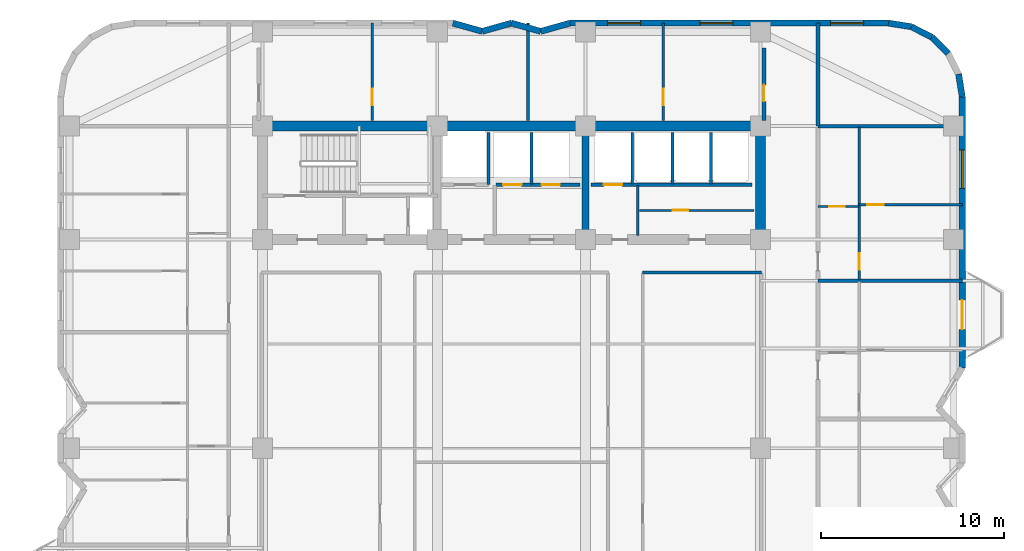
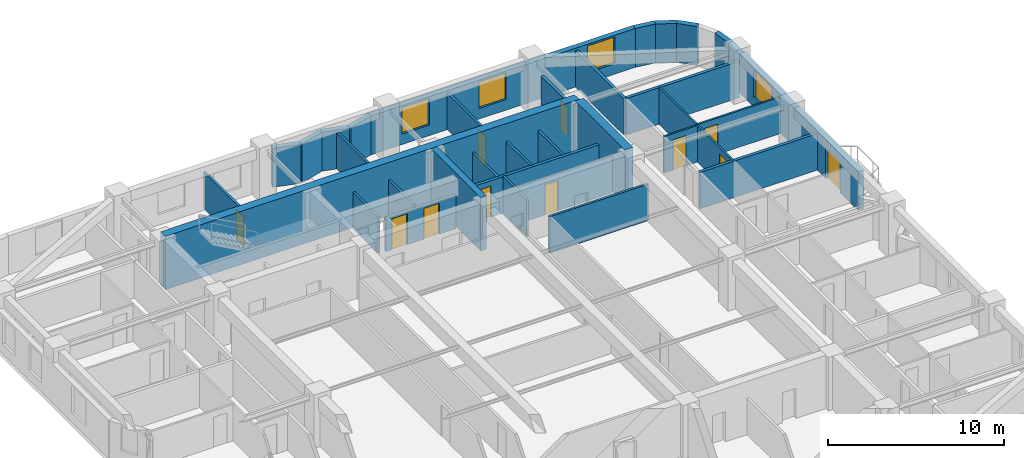
# One storey, part 7 of 10: 33 walls, 11 doors, 4 windows, 15 openings.
"""IFC4 building model written with IfcOpenShell, lengths in metres."""

from ifc_helpers import new_model, si_unit, direction, frame, frame_2d, origin, place, context, subcontext, project, spatial, rectangle, extrude, material, layer, layer_set, type_object, element, fill, save


model = new_model("IFC4")

# Units and contexts
model_context = context("Model", 3, precision=1e-05, world=origin(), true_north=direction((0.0, 1.0)))
body_context = subcontext(model_context, "Body", "Model", "MODEL_VIEW")
ifc_project = project(units=[si_unit("LENGTHUNIT", "METRE"), si_unit("AREAUNIT", "SQUARE_METRE"), si_unit("VOLUMEUNIT", "CUBIC_METRE"), si_unit("PLANEANGLEUNIT", "RADIAN"), si_unit("MASSUNIT", "GRAM", prefix="KILO")], contexts=[model_context])

# Site, building, storey
site_placement = place(None, origin())
site = spatial("IfcSite", under=ifc_project, at=site_placement, CompositionType="ELEMENT")
building_placement = place(site_placement, origin())
building = spatial("IfcBuilding", under=site, at=building_placement, Name="Svetorya Sky Lyceum", CompositionType="ELEMENT")
storey_placement = place(building_placement, frame((0.0, 0.0, 110.5)))
storey = spatial("IfcBuildingStorey", under=building, at=storey_placement, Name="L27", CompositionType="ELEMENT", Elevation=110.5)

# Walls
ifc_material_1 = material(Name="Concrete C40/50", Category="concrete")
ifc_layer_1 = layer(ifc_material_1, 0.39990234375)
ifc_layer_set_1 = layer_set([ifc_layer_1], Name="Concrete C40/50")
wall_type_1 = type_object("IfcWallType", Name="WL-CORE-400", PredefinedType="SHEAR", material=ifc_layer_set_1)
wall_1_placement = place(storey_placement, frame((43.25, 39.875, 0.0), z_axis=(0.0, 0.0, 1.0), x_axis=(0.0, 1.0, 0.0)))
element("IfcWall", 1, at=wall_1_placement, inside=storey, type_object=wall_type_1, Name="L27 NC Internal Shear Web WEB2", PredefinedType="SHEAR", context=body_context, shape_type="SweptSolid", body=[
    extrude(rectangle(XDim=5.64990234375, YDim=0.39990234375, at=frame_2d((2.824951171875, 0.0))), origin(), (0.0, 0.0, 1.0), 3.699951171875),
])
ifc_material_2 = material(Name="Concrete C60/75", Category="concrete")
ifc_layer_2 = layer(ifc_material_2, 0.550048828125)
ifc_layer_set_2 = layer_set([ifc_layer_2], Name="Concrete C60/75")
wall_type_2 = type_object("IfcWallType", Name="WL-CORE-550", PredefinedType="SHEAR", material=ifc_layer_set_2)
wall_2_placement = place(storey_placement, frame((25.60009765625, 45.800048828125, 0.0), z_axis=(0.0, 0.0, 1.0), x_axis=(1.0, 0.0, 0.0)))
element("IfcWall", 2, at=wall_2_placement, inside=storey, type_object=wall_type_2, Name="L27 NC Outer Core Shear Wall", PredefinedType="SHEAR", context=body_context, shape_type="SweptSolid", body=[
    extrude(rectangle(XDim=27.199951171875, YDim=0.550048828125, at=frame_2d((13.60009765625, 0.0))), origin(), (0.0, 0.0, 1.0), 3.699951171875),
])
wall_3_placement = place(storey_placement, frame((52.800048828125, 39.875, 0.0), z_axis=(0.0, 0.0, 1.0), x_axis=(0.0, 1.0, 0.0)))
element("IfcWall", 3, at=wall_3_placement, inside=storey, type_object=wall_type_2, Name="L27 NC East Core Shear Wall", PredefinedType="SHEAR", context=body_context, shape_type="SweptSolid", body=[
    extrude(rectangle(XDim=5.64990234375, YDim=0.550048828125, at=frame_2d((2.824951171875, 0.0))), origin(), (0.0, 0.0, 1.0), 3.699951171875),
])

# Wall, openings, door, window
ifc_material_3 = material(Name="Putilovo limestone rainscreen on autoclaved cellular masonry", Category="masonry")
ifc_layer_3 = layer(ifc_material_3, 0.340087890625)
ifc_layer_set_3 = layer_set([ifc_layer_3], Name="Putilovo limestone rainscreen on autoclaved cellular masonry")
wall_type_3 = type_object("IfcWallType", Name="WL-EXT-340", PredefinedType="SOLIDWALL", material=ifc_layer_set_3)
wall_4_placement = place(storey_placement, frame((63.830078125, 32.60009765625, 0.0), z_axis=(0.0, 0.0, 1.0), x_axis=(0.0, 1.0, 0.0)))
wall_4 = element("IfcWall", 4, at=wall_4_placement, inside=storey, type_object=wall_type_3, Name="L27 Limestone Exterior Wall 23M", PredefinedType="SOLIDWALL", context=body_context, shape_type="SweptSolid", body=[
    extrude(rectangle(XDim=14.7998046875, YDim=0.340087890625, at=frame_2d((7.39990234375, 0.0))), origin(), (0.0, 0.0, 1.0), 2.699951171875),
])
opening_1_placement = place(wall_4_placement, frame((2.10009765625, 0.0, 0.0)))
opening_1 = element("IfcOpeningElement", 5, at=opening_1_placement, cuts=wall_4, Name="Opening D-BL1", PredefinedType="OPENING", context=body_context, shape_type="SweptSolid", body=[
    extrude(rectangle(XDim=1.60009765625, YDim=2.10009765625, at=frame_2d((0.800048828125, 1.050048828125))), frame((0.0, 0.179931640625, 0.0), z_axis=(0.0, -1.0, 0.0), x_axis=(1.0, 0.0, 0.0)), (0.0, 0.0, 1.0), 0.360107421875),
])
opening_2_placement = place(wall_4_placement, frame((9.800048828125, 0.0, 0.679931640625)))
opening_2 = element("IfcOpeningElement", 6, at=opening_2_placement, cuts=wall_4, Name="Opening W-R0", PredefinedType="OPENING", context=body_context, shape_type="SweptSolid", body=[
    extrude(rectangle(XDim=2.10009765625, YDim=1.89990234375, at=frame_2d((1.050048828125, 0.949951171875))), frame((0.0, 0.179931640625, 0.0), z_axis=(0.0, -1.0, 0.0), x_axis=(1.0, 0.0, 0.0)), (0.0, 0.0, 1.0), 0.360107421875),
])
ifc_material_4 = material(Name="Insulated glazed aluminium balcony door", Category="aluminium")
door_type_1 = type_object("IfcDoorType", Name="DR-BAL-1600", OperationType="DOUBLE_DOOR_SINGLE_SWING", PredefinedType="DOOR", material=ifc_material_4)
door_1_placement = place(opening_1_placement, origin())
door_1 = element("IfcDoor", 7, at=door_1_placement, inside=storey, type_object=door_type_1, Name="L27 Balcony BAL-E1 Door", OperationType="DOUBLE_DOOR_SINGLE_SWING", OverallHeight=2.10009765625, OverallWidth=1.60009765625, PredefinedType="DOOR", context=body_context, shape_type="SweptSolid", body=[
    extrude(rectangle(XDim=1.60009765625, YDim=2.10009765625, at=frame_2d((0.800048828125, 1.050048828125))), frame((0.0, 0.02490234375, 0.0), z_axis=(0.0, -1.0, 0.0), x_axis=(1.0, 0.0, 0.0)), (0.0, 0.0, 1.0), 0.050048828125),
])
fill(opening_1, door_1)
ifc_material_5 = material(Name="Thermally broken aluminium frame with triple low-E glazing", Category="aluminium")
window_type_1 = type_object("IfcWindowType", Name="WN-RES-210", PartitioningType="TRIPLE_PANEL_VERTICAL", PredefinedType="WINDOW", material=ifc_material_5)
window_1_placement = place(opening_2_placement, origin())
window_1 = element("IfcWindow", 8, at=window_1_placement, inside=storey, type_object=window_type_1, Name="L27 Facade Window W-R0.23M.1", OverallHeight=1.89990234375, OverallWidth=2.10009765625, PartitioningType="SINGLE_PANEL", PredefinedType="WINDOW", context=body_context, shape_type="SweptSolid", body=[
    extrude(rectangle(XDim=2.10009765625, YDim=1.89990234375, at=frame_2d((1.050048828125, 0.949951171875))), frame((0.0, 0.030029296875, 0.0), z_axis=(0.0, -1.0, 0.0), x_axis=(1.0, 0.0, 0.0)), (0.0, 0.0, 1.0), 0.06005859375),
])
fill(opening_2, window_1)

# Walls
for number, where, z_axis, x_axis, name in (
    (9, (63.830078125, 47.39990234375, 0.0), (0.0, 0.0, 1.0), (-0.15644975923, 0.987685918112, 0.0), "L27 Limestone Exterior Wall 24M"),
    (10, (63.060302734375, 49.768798828125, 0.0), (0.0, 0.0, 1.0), (-0.707106781187, 0.707106781187, 0.0), "L27 Limestone Exterior Wall 26M"),
):
    element("IfcWall", number, at=place(storey_placement, frame(where, z_axis=z_axis, x_axis=x_axis)), inside=storey, type_object=wall_type_3, Name=name, PredefinedType="SOLIDWALL", context=body_context, shape_type="SweptSolid", body=[
        extrude(rectangle(XDim=1.260986328125, YDim=0.340087890625, at=frame_2d((0.63037109375, 0.0))), origin(), (0.0, 0.0, 1.0), 2.699951171875),
    ])
for number, where, z_axis, x_axis, name in (
    (11, (62.168701171875, 50.660400390625, 0.0), (0.0, 0.0, 1.0), (-0.890953769915, 0.454094020963, 0.0), "L27 Limestone Exterior Wall 27M"),
    (12, (61.04541015625, 51.23291015625, 0.0), (0.0, 0.0, 1.0), (-0.98771582066, 0.156260864002, 0.0), "L27 Limestone Exterior Wall 28M"),
):
    element("IfcWall", number, at=place(storey_placement, frame(where, z_axis=z_axis, x_axis=x_axis)), inside=storey, type_object=wall_type_3, Name=name, PredefinedType="SOLIDWALL", context=body_context, shape_type="SweptSolid", body=[
        extrude(rectangle(XDim=1.2607421875, YDim=0.340087890625, at=frame_2d((0.63037109375, 0.0))), origin(), (0.0, 0.0, 1.0), 2.699951171875),
    ])

# Wall, openings, windows
wall_5_placement = place(storey_placement, frame((59.800048828125, 51.429931640625, 0.0), z_axis=(0.0, 0.0, 1.0), x_axis=(-1.0, 0.0, 0.0)))
wall_5 = element("IfcWall", 13, at=wall_5_placement, inside=storey, type_object=wall_type_3, Name="L27 Limestone Exterior Wall 29M", PredefinedType="SOLIDWALL", context=body_context, shape_type="SweptSolid", body=[
    extrude(rectangle(XDim=17.400146484375, YDim=0.340087890625, at=frame_2d((8.7001953125, 0.0))), origin(), (0.0, 0.0, 1.0), 2.699951171875),
])
opening_3_placement = place(wall_5_placement, frame((1.360107421875, 0.0, 0.72998046875)))
opening_3 = element("IfcOpeningElement", 14, at=opening_3_placement, cuts=wall_5, Name="Opening W-R1", PredefinedType="OPENING", context=body_context, shape_type="SweptSolid", body=[
    extrude(rectangle(XDim=1.800048828125, YDim=1.85009765625, at=frame_2d((0.89990234375, 0.925048828125))), frame((0.0, 0.179931640625, 0.0), z_axis=(0.0, -1.0, 0.0), x_axis=(1.0, 0.0, 0.0)), (0.0, 0.0, 1.0), 0.360107421875),
])
opening_4_placement = place(wall_5_placement, frame((8.5, 0.0, 0.72998046875)))
opening_4 = element("IfcOpeningElement", 15, at=opening_4_placement, cuts=wall_5, Name="Opening W-R1", PredefinedType="OPENING", context=body_context, shape_type="SweptSolid", body=[
    extrude(rectangle(XDim=1.800048828125, YDim=1.85009765625, at=frame_2d((0.89990234375, 0.925048828125))), frame((0.0, 0.179931640625, 0.0), z_axis=(0.0, -1.0, 0.0), x_axis=(1.0, 0.0, 0.0)), (0.0, 0.0, 1.0), 0.360107421875),
])
opening_5_placement = place(wall_5_placement, frame((13.5400390625, 0.0, 0.72998046875)))
opening_5 = element("IfcOpeningElement", 16, at=opening_5_placement, cuts=wall_5, Name="Opening W-R1", PredefinedType="OPENING", context=body_context, shape_type="SweptSolid", body=[
    extrude(rectangle(XDim=1.800048828125, YDim=1.85009765625, at=frame_2d((0.89990234375, 0.925048828125))), frame((0.0, 0.179931640625, 0.0), z_axis=(0.0, -1.0, 0.0), x_axis=(1.0, 0.0, 0.0)), (0.0, 0.0, 1.0), 0.360107421875),
])
window_type_2 = type_object("IfcWindowType", Name="WN-RES-180", PartitioningType="DOUBLE_PANEL_VERTICAL", PredefinedType="WINDOW", material=ifc_material_5)
window_2_placement = place(opening_3_placement, origin())
window_2 = element("IfcWindow", 17, at=window_2_placement, inside=storey, type_object=window_type_2, Name="L27 Facade Window W-R1.29M.1", OverallHeight=1.85009765625, OverallWidth=1.800048828125, PartitioningType="SINGLE_PANEL", PredefinedType="WINDOW", context=body_context, shape_type="SweptSolid", body=[
    extrude(rectangle(XDim=1.800048828125, YDim=1.85009765625, at=frame_2d((0.89990234375, 0.925048828125))), frame((0.0, 0.030029296875, 0.0), z_axis=(0.0, -1.0, 0.0), x_axis=(1.0, 0.0, 0.0)), (0.0, 0.0, 1.0), 0.06005859375),
])
fill(opening_3, window_2)
window_3_placement = place(opening_4_placement, origin())
window_3 = element("IfcWindow", 18, at=window_3_placement, inside=storey, type_object=window_type_2, Name="L27 Facade Window W-R1.29M.2", OverallHeight=1.85009765625, OverallWidth=1.800048828125, PartitioningType="SINGLE_PANEL", PredefinedType="WINDOW", context=body_context, shape_type="SweptSolid", body=[
    extrude(rectangle(XDim=1.800048828125, YDim=1.85009765625, at=frame_2d((0.89990234375, 0.925048828125))), frame((0.0, 0.030029296875, 0.0), z_axis=(0.0, -1.0, 0.0), x_axis=(1.0, 0.0, 0.0)), (0.0, 0.0, 1.0), 0.06005859375),
])
fill(opening_4, window_3)
window_4_placement = place(opening_5_placement, origin())
window_4 = element("IfcWindow", 19, at=window_4_placement, inside=storey, type_object=window_type_2, Name="L27 Facade Window W-R1.29M.3", OverallHeight=1.85009765625, OverallWidth=1.800048828125, PartitioningType="SINGLE_PANEL", PredefinedType="WINDOW", context=body_context, shape_type="SweptSolid", body=[
    extrude(rectangle(XDim=1.800048828125, YDim=1.85009765625, at=frame_2d((0.89990234375, 0.925048828125))), frame((0.0, 0.030029296875, 0.0), z_axis=(0.0, -1.0, 0.0), x_axis=(1.0, 0.0, 0.0)), (0.0, 0.0, 1.0), 0.06005859375),
])
fill(opening_5, window_4)

# Walls
wall_6_placement = place(storey_placement, frame((42.39990234375, 51.429931640625, 0.0), z_axis=(0.0, 0.0, 1.0), x_axis=(-0.962652136636, -0.270741322725, 0.0)))
element("IfcWall", 20, at=wall_6_placement, inside=storey, type_object=wall_type_3, Name="L27 Limestone Exterior Wall 30M", PredefinedType="SOLIDWALL", context=body_context, shape_type="SweptSolid", body=[
    extrude(rectangle(XDim=1.661865234375, YDim=0.340087890625, at=frame_2d((0.8310546875, 0.0))), origin(), (0.0, 0.0, 1.0), 2.699951171875),
])
wall_7_placement = place(storey_placement, frame((40.800048828125, 50.97998046875, 0.0), z_axis=(0.0, 0.0, 1.0), x_axis=(-0.962662902433, 0.270703040766, 0.0)))
element("IfcWall", 21, at=wall_7_placement, inside=storey, type_object=wall_type_3, Name="L27 Limestone Exterior Wall 31M", PredefinedType="SOLIDWALL", context=body_context, shape_type="SweptSolid", body=[
    extrude(rectangle(XDim=1.662109375, YDim=0.340087890625, at=frame_2d((0.8310546875, 0.0))), origin(), (0.0, 0.0, 1.0), 2.699951171875),
])
wall_8_placement = place(storey_placement, frame((39.199951171875, 51.429931640625, 0.0), z_axis=(0.0, 0.0, 1.0), x_axis=(-0.962652136636, -0.270741322725, 0.0)))
element("IfcWall", 22, at=wall_8_placement, inside=storey, type_object=wall_type_3, Name="L27 Limestone Exterior Wall 32M", PredefinedType="SOLIDWALL", context=body_context, shape_type="SweptSolid", body=[
    extrude(rectangle(XDim=1.661865234375, YDim=0.340087890625, at=frame_2d((0.8310546875, 0.0))), origin(), (0.0, 0.0, 1.0), 2.699951171875),
])
wall_9_placement = place(storey_placement, frame((37.60009765625, 50.97998046875, 0.0), z_axis=(0.0, 0.0, 1.0), x_axis=(-0.962662902433, 0.270703040766, 0.0)))
element("IfcWall", 23, at=wall_9_placement, inside=storey, type_object=wall_type_3, Name="L27 Limestone Exterior Wall 33M", PredefinedType="SOLIDWALL", context=body_context, shape_type="SweptSolid", body=[
    extrude(rectangle(XDim=1.662109375, YDim=0.340087890625, at=frame_2d((0.8310546875, 0.0))), origin(), (0.0, 0.0, 1.0), 2.699951171875),
])

# Wall, opening, door
ifc_material_6 = material(Name="Twin-stud galvanized framing with double fireboard", Category="gypsum")
ifc_layer_4 = layer(ifc_material_6, 0.1201171875)
ifc_layer_set_4 = layer_set([ifc_layer_4], Name="Twin-stud galvanized framing with double fireboard")
wall_type_4 = type_object("IfcWallType", Name="WL-PART-120", PredefinedType="PARTITIONING", material=ifc_layer_set_4)
wall_10_placement = place(storey_placement, frame((46.199951171875, 41.199951171875, 0.0), z_axis=(0.0, 0.0, 1.0), x_axis=(1.0, 0.0, 0.0)))
wall_10 = element("IfcWall", 24, at=wall_10_placement, inside=storey, type_object=wall_type_4, Name="L27 Interior Partition NC-Z2EH", PredefinedType="PARTITIONING", context=body_context, shape_type="SweptSolid", body=[
    extrude(rectangle(XDim=6.25, YDim=0.1201171875, at=frame_2d((3.125, 0.0))), origin(), (0.0, 0.0, 1.0), 2.530029296875),
])
opening_6_placement = place(wall_10_placement, frame((1.800048828125, 0.0, 0.0)))
opening_6 = element("IfcOpeningElement", 25, at=opening_6_placement, cuts=wall_10, Name="Opening D-CWC1", PredefinedType="OPENING", context=body_context, shape_type="SweptSolid", body=[
    extrude(rectangle(XDim=0.85009765625, YDim=2.10009765625, at=frame_2d((0.425048828125, 1.050048828125))), frame((0.0, 0.070068359375, 0.0), z_axis=(0.0, -1.0, 0.0), x_axis=(1.0, 0.0, 0.0)), (0.0, 0.0, 1.0), 0.14013671875),
])
ifc_material_7 = material(Name="Fire-rated galvanized steel core service closet door", Category="steel")
door_type_2 = type_object("IfcDoorType", Name="DR-CWET-850", OperationType="SINGLE_SWING_LEFT", PredefinedType="DOOR", material=ifc_material_7)
door_2_placement = place(opening_6_placement, origin())
door_2 = element("IfcDoor", 26, at=door_2_placement, inside=storey, type_object=door_type_2, Name="L27 Rear Mid-Rise Store Door", OperationType="SINGLE_SWING_LEFT", OverallHeight=2.10009765625, OverallWidth=0.85009765625, PredefinedType="DOOR", context=body_context, shape_type="SweptSolid", body=[
    extrude(rectangle(XDim=0.85009765625, YDim=2.10009765625, at=frame_2d((0.425048828125, 1.050048828125))), frame((0.0, 0.02490234375, 0.0), z_axis=(0.0, -1.0, 0.0), x_axis=(1.0, 0.0, 0.0)), (0.0, 0.0, 1.0), 0.050048828125),
])
fill(opening_6, door_2)

wall_11_placement = place(storey_placement, frame((55.949951171875, 41.412109375, 0.0), z_axis=(0.0, 0.0, 1.0), x_axis=(1.0, 0.0, 0.0)))
wall_11 = element("IfcWall", 27, at=wall_11_placement, inside=storey, type_object=wall_type_4, Name="L27 Interior Partition E4-WH1", PredefinedType="PARTITIONING", context=body_context, shape_type="SweptSolid", body=[
    extrude(rectangle(XDim=2.25, YDim=0.1201171875, at=frame_2d((1.125, 0.0))), origin(), (0.0, 0.0, 1.0), 2.530029296875),
])
opening_7_placement = place(wall_11_placement, frame((0.60009765625, 0.0, 0.0)))
opening_7 = element("IfcOpeningElement", 28, at=opening_7_placement, cuts=wall_11, Name="Opening D-BT1", PredefinedType="OPENING", context=body_context, shape_type="SweptSolid", body=[
    extrude(rectangle(XDim=0.85009765625, YDim=2.10009765625, at=frame_2d((0.425048828125, 1.050048828125))), frame((0.0, 0.070068359375, 0.0), z_axis=(0.0, -1.0, 0.0), x_axis=(1.0, 0.0, 0.0)), (0.0, 0.0, 1.0), 0.14013671875),
])
ifc_material_8 = material(Name="Moisture-resistant laminate bathroom door")
door_type_3 = type_object("IfcDoorType", Name="DR-WET-850", OperationType="SINGLE_SWING_LEFT", PredefinedType="DOOR", material=ifc_material_8)
door_3_placement = place(opening_7_placement, origin())
door_3 = element("IfcDoor", 29, at=door_3_placement, inside=storey, type_object=door_type_3, Name="Apartment E4 Bathroom Door", OperationType="SINGLE_SWING_LEFT", OverallHeight=2.10009765625, OverallWidth=0.85009765625, PredefinedType="DOOR", context=body_context, shape_type="SweptSolid", body=[
    extrude(rectangle(XDim=0.85009765625, YDim=2.10009765625, at=frame_2d((0.425048828125, 1.050048828125))), frame((0.0, 0.02490234375, 0.0), z_axis=(0.0, -1.0, 0.0), x_axis=(1.0, 0.0, 0.0)), (0.0, 0.0, 1.0), 0.050048828125),
])
fill(opening_7, door_3)

wall_12_placement = place(storey_placement, frame((58.199951171875, 41.501953125, 0.0), z_axis=(0.0, 0.0, 1.0), x_axis=(1.0, 0.0, 0.0)))
wall_12 = element("IfcWall", 30, at=wall_12_placement, inside=storey, type_object=wall_type_4, Name="L27 Interior Partition E4-WL1", PredefinedType="PARTITIONING", context=body_context, shape_type="SweptSolid", body=[
    extrude(rectangle(XDim=5.630126953125, YDim=0.1201171875, at=frame_2d((2.81494140625, 0.0))), origin(), (0.0, 0.0, 1.0), 2.530029296875),
])
opening_8_placement = place(wall_12_placement, frame((0.449951171875, 0.0, 0.0)))
opening_8 = element("IfcOpeningElement", 31, at=opening_8_placement, cuts=wall_12, Name="Opening D-RM1", PredefinedType="OPENING", context=body_context, shape_type="SweptSolid", body=[
    extrude(rectangle(XDim=0.89990234375, YDim=2.10009765625, at=frame_2d((0.449951171875, 1.050048828125))), frame((0.0, 0.070068359375, 0.0), z_axis=(0.0, -1.0, 0.0), x_axis=(1.0, 0.0, 0.0)), (0.0, 0.0, 1.0), 0.14013671875),
])
ifc_material_9 = material(Name="Lacquered birch veneer internal door")
door_type_4 = type_object("IfcDoorType", Name="DR-INT-900", OperationType="SINGLE_SWING_LEFT", PredefinedType="DOOR", material=ifc_material_9)
door_4_placement = place(opening_8_placement, origin())
door_4 = element("IfcDoor", 32, at=door_4_placement, inside=storey, type_object=door_type_4, Name="Apartment E4 Bedroom 1 Door", OperationType="SINGLE_SWING_LEFT", OverallHeight=2.10009765625, OverallWidth=0.89990234375, PredefinedType="DOOR", context=body_context, shape_type="SweptSolid", body=[
    extrude(rectangle(XDim=0.89990234375, YDim=2.10009765625, at=frame_2d((0.449951171875, 1.050048828125))), frame((0.0, 0.02490234375, 0.0), z_axis=(0.0, -1.0, 0.0), x_axis=(1.0, 0.0, 0.0)), (0.0, 0.0, 1.0), 0.050048828125),
])
fill(opening_8, door_4)

wall_13_placement = place(storey_placement, frame((58.199951171875, 37.39208984375, 0.0), z_axis=(0.0, 0.0, 1.0), x_axis=(0.0, 1.0, 0.0)))
wall_13 = element("IfcWall", 33, at=wall_13_placement, inside=storey, type_object=wall_type_4, Name="L27 Interior Partition E4-WV", PredefinedType="PARTITIONING", context=body_context, shape_type="SweptSolid", body=[
    extrude(rectangle(XDim=8.367919921875, YDim=0.1201171875, at=frame_2d((4.18408203125, 0.0))), origin(), (0.0, 0.0, 1.0), 2.530029296875),
])
opening_9_placement = place(wall_13_placement, frame((0.56005859375, 0.0, 0.0)))
opening_9 = element("IfcOpeningElement", 34, at=opening_9_placement, cuts=wall_13, Name="Opening D-RM1", PredefinedType="OPENING", context=body_context, shape_type="SweptSolid", body=[
    extrude(rectangle(XDim=0.89990234375, YDim=2.10009765625, at=frame_2d((0.449951171875, 1.050048828125))), frame((0.0, 0.070068359375, 0.0), z_axis=(0.0, -1.0, 0.0), x_axis=(1.0, 0.0, 0.0)), (0.0, 0.0, 1.0), 0.14013671875),
])
door_5_placement = place(opening_9_placement, origin())
door_5 = element("IfcDoor", 35, at=door_5_placement, inside=storey, type_object=door_type_4, Name="Apartment E4 Living Door", OperationType="SINGLE_SWING_RIGHT", OverallHeight=2.10009765625, OverallWidth=0.89990234375, PredefinedType="DOOR", context=body_context, shape_type="SweptSolid", body=[
    extrude(rectangle(XDim=0.89990234375, YDim=2.10009765625, at=frame_2d((0.449951171875, 1.050048828125))), frame((0.0, 0.02490234375, 0.0), z_axis=(0.0, -1.0, 0.0), x_axis=(1.0, 0.0, 0.0)), (0.0, 0.0, 1.0), 0.050048828125),
])
fill(opening_9, door_5)

# Walls
ifc_material_10 = material(Name="Autoclaved cellular masonry blockwork with acoustic render", Category="masonry")
ifc_layer_5 = layer(ifc_material_10, 0.14990234375)
ifc_layer_set_5 = layer_set([ifc_layer_5], Name="Autoclaved cellular masonry blockwork with acoustic render")
wall_type_5 = type_object("IfcWallType", Name="WL-PART-150", PredefinedType="PARTITIONING", material=ifc_layer_set_5)
wall_14_placement = place(storey_placement, frame((37.949951171875, 42.60009765625, 0.0), z_axis=(0.0, 0.0, 1.0), x_axis=(0.0, 1.0, 0.0)))
element("IfcWall", 36, at=wall_14_placement, inside=storey, type_object=wall_type_5, Name="L27 Interior Partition NC-FL1SIDE", PredefinedType="PARTITIONING", context=body_context, shape_type="SweptSolid", body=[
    extrude(rectangle(XDim=2.849853515625, YDim=0.14990234375, at=frame_2d((1.4248046875, 0.0))), origin(), (0.0, 0.0, 1.0), 2.530029296875),
])
for number, where, z_axis, x_axis, name in (
    (37, (40.300048828125, 42.64990234375, 0.0), (0.0, 0.0, 1.0), (0.0, 1.0, 0.0), "L27 Interior Partition NC-PM-D1"),
    (38, (45.800048828125, 42.64990234375, 0.0), (0.0, 0.0, 1.0), (0.0, 1.0, 0.0), "L27 Interior Partition NC-PM3-D"),
    (39, (48.0, 42.64990234375, 0.0), (0.0, 0.0, 1.0), (0.0, 1.0, 0.0), "L27 Interior Partition NC-PH-D1"),
    (40, (50.10009765625, 42.64990234375, 0.0), (0.0, 0.0, 1.0), (0.0, 1.0, 0.0), "L27 Interior Partition NC-PH-D2"),
):
    element("IfcWall", number, at=place(storey_placement, frame(where, z_axis=z_axis, x_axis=x_axis)), inside=storey, type_object=wall_type_5, Name=name, PredefinedType="PARTITIONING", context=body_context, shape_type="SweptSolid", body=[
        extrude(rectangle(XDim=2.800048828125, YDim=0.14990234375, at=frame_2d((1.39990234375, 0.0))), origin(), (0.0, 0.0, 1.0), 2.530029296875),
    ])
wall_15_placement = place(storey_placement, frame((46.10009765625, 39.820068359375, 0.0), z_axis=(0.0, 0.0, 1.0), x_axis=(0.0, 1.0, 0.0)))
element("IfcWall", 41, at=wall_15_placement, inside=storey, type_object=wall_type_5, Name="L27 Interior Partition NC-PM3SEP", PredefinedType="PARTITIONING", context=body_context, shape_type="SweptSolid", body=[
    extrude(rectangle(XDim=2.72998046875, YDim=0.14990234375, at=frame_2d((1.364990234375, 0.0))), origin(), (0.0, 0.0, 1.0), 2.530029296875),
])
wall_16_placement = place(storey_placement, frame((46.35009765625, 37.800048828125, 0.0), z_axis=(0.0, 0.0, 1.0), x_axis=(1.0, 0.0, 0.0)))
element("IfcWall", 42, at=wall_16_placement, inside=storey, type_object=wall_type_5, Name="L27 Interior Partition RL-CN-E", PredefinedType="PARTITIONING", context=body_context, shape_type="SweptSolid", body=[
    extrude(rectangle(XDim=6.5, YDim=0.14990234375, at=frame_2d((3.25, 0.0))), origin(), (0.0, 0.0, 1.0), 2.530029296875),
])

# Wall, opening, door
wall_17_placement = place(storey_placement, frame((31.60009765625, 46.10009765625, 0.0), z_axis=(0.0, 0.0, 1.0), x_axis=(0.0, 1.0, 0.0)))
wall_17 = element("IfcWall", 43, at=wall_17_placement, inside=storey, type_object=wall_type_5, Name="L27 Interior Partition N4-D1", PredefinedType="PARTITIONING", context=body_context, shape_type="SweptSolid", body=[
    extrude(rectangle(XDim=5.329833984375, YDim=0.14990234375, at=frame_2d((2.6650390625, 0.0))), origin(), (0.0, 0.0, 1.0), 2.530029296875),
])
opening_10_placement = place(wall_17_placement, frame((0.85009765625, 0.0, 0.0)))
opening_10 = element("IfcOpeningElement", 44, at=opening_10_placement, cuts=wall_17, Name="Opening D-RM1", PredefinedType="OPENING", context=body_context, shape_type="SweptSolid", body=[
    extrude(rectangle(XDim=0.89990234375, YDim=2.10009765625, at=frame_2d((0.449951171875, 1.050048828125))), frame((0.0, 0.0849609375, 0.0), z_axis=(0.0, -1.0, 0.0), x_axis=(1.0, 0.0, 0.0)), (0.0, 0.0, 1.0), 0.169921875),
])
door_6_placement = place(opening_10_placement, origin())
door_6 = element("IfcDoor", 45, at=door_6_placement, inside=storey, type_object=door_type_4, Name="L27 North Suite Door 1", OperationType="SINGLE_SWING_RIGHT", OverallHeight=2.10009765625, OverallWidth=0.89990234375, PredefinedType="DOOR", context=body_context, shape_type="SweptSolid", body=[
    extrude(rectangle(XDim=0.89990234375, YDim=2.10009765625, at=frame_2d((0.449951171875, 1.050048828125))), frame((0.0, 0.02490234375, 0.0), z_axis=(0.0, -1.0, 0.0), x_axis=(1.0, 0.0, 0.0)), (0.0, 0.0, 1.0), 0.050048828125),
])
fill(opening_10, door_6)

# Wall
wall_18_placement = place(storey_placement, frame((40.10009765625, 46.10009765625, 0.0), z_axis=(0.0, 0.0, 1.0), x_axis=(0.0, 1.0, 0.0)))
element("IfcWall", 46, at=wall_18_placement, inside=storey, type_object=wall_type_5, Name="L27 Interior Partition N4-D2", PredefinedType="PARTITIONING", context=body_context, shape_type="SweptSolid", body=[
    extrude(rectangle(XDim=5.329833984375, YDim=0.14990234375, at=frame_2d((2.6650390625, 0.0))), origin(), (0.0, 0.0, 1.0), 2.530029296875),
])

# Wall, opening, door
wall_19_placement = place(storey_placement, frame((47.5, 46.10009765625, 0.0), z_axis=(0.0, 0.0, 1.0), x_axis=(0.0, 1.0, 0.0)))
wall_19 = element("IfcWall", 47, at=wall_19_placement, inside=storey, type_object=wall_type_5, Name="L27 Interior Partition N4-D3", PredefinedType="PARTITIONING", context=body_context, shape_type="SweptSolid", body=[
    extrude(rectangle(XDim=5.329833984375, YDim=0.14990234375, at=frame_2d((2.6650390625, 0.0))), origin(), (0.0, 0.0, 1.0), 2.530029296875),
])
opening_11_placement = place(wall_19_placement, frame((0.85009765625, 0.0, 0.0)))
opening_11 = element("IfcOpeningElement", 48, at=opening_11_placement, cuts=wall_19, Name="Opening D-RM1", PredefinedType="OPENING", context=body_context, shape_type="SweptSolid", body=[
    extrude(rectangle(XDim=0.89990234375, YDim=2.10009765625, at=frame_2d((0.449951171875, 1.050048828125))), frame((0.0, 0.0849609375, 0.0), z_axis=(0.0, -1.0, 0.0), x_axis=(1.0, 0.0, 0.0)), (0.0, 0.0, 1.0), 0.169921875),
])
door_7_placement = place(opening_11_placement, origin())
door_7 = element("IfcDoor", 49, at=door_7_placement, inside=storey, type_object=door_type_4, Name="L27 North Suite Door 3", OperationType="SINGLE_SWING_RIGHT", OverallHeight=2.10009765625, OverallWidth=0.89990234375, PredefinedType="DOOR", context=body_context, shape_type="SweptSolid", body=[
    extrude(rectangle(XDim=0.89990234375, YDim=2.10009765625, at=frame_2d((0.449951171875, 1.050048828125))), frame((0.0, 0.02490234375, 0.0), z_axis=(0.0, -1.0, 0.0), x_axis=(1.0, 0.0, 0.0)), (0.0, 0.0, 1.0), 0.050048828125),
])
fill(opening_11, door_7)

# Wall, openings, doors
ifc_material_11 = material(Name="Autoclaved cellular masonry blockwork with gypsum plaster", Category="masonry")
ifc_layer_6 = layer(ifc_material_11, 0.199951171875)
ifc_layer_set_6 = layer_set([ifc_layer_6], Name="Autoclaved cellular masonry blockwork with gypsum plaster")
wall_type_6 = type_object("IfcWallType", Name="WL-PART-200", PredefinedType="PARTITIONING", material=ifc_layer_set_6)
wall_20_placement = place(storey_placement, frame((42.949951171875, 42.60009765625, 0.0), z_axis=(0.0, 0.0, 1.0), x_axis=(-1.0, 0.0, 0.0)))
wall_20 = element("IfcWall", 50, at=wall_20_placement, inside=storey, type_object=wall_type_6, Name="L27 Interior Partition NC-PM12W", PredefinedType="PARTITIONING", context=body_context, shape_type="SweptSolid", body=[
    extrude(rectangle(XDim=4.599853515625, YDim=0.199951171875, at=frame_2d((2.2998046875, 0.0))), origin(), (0.0, 0.0, 1.0), 2.300048828125),
])
opening_12_placement = place(wall_20_placement, frame((3.199951171875, 0.0, 0.0)))
opening_12 = element("IfcOpeningElement", 51, at=opening_12_placement, cuts=wall_20, Name="Opening LD-P1", PredefinedType="OPENING", context=body_context, shape_type="SweptSolid", body=[
    extrude(rectangle(XDim=1.0, YDim=2.14990234375, at=frame_2d((0.5, 1.074951171875))), frame((0.0, 0.10986328125, 0.0), z_axis=(0.0, -1.0, 0.0), x_axis=(1.0, 0.0, 0.0)), (0.0, 0.0, 1.0), 0.219970703125),
])
opening_13_placement = place(wall_20_placement, frame((1.10009765625, 0.0, 0.0)))
opening_13 = element("IfcOpeningElement", 52, at=opening_13_placement, cuts=wall_20, Name="Opening LD-P1", PredefinedType="OPENING", context=body_context, shape_type="SweptSolid", body=[
    extrude(rectangle(XDim=1.0, YDim=2.14990234375, at=frame_2d((0.5, 1.074951171875))), frame((0.0, 0.10986328125, 0.0), z_axis=(0.0, -1.0, 0.0), x_axis=(1.0, 0.0, 0.0)), (0.0, 0.0, 1.0), 0.219970703125),
])
ifc_material_12 = material(Name="Champagne-anodized stainless passenger lift landing door")
door_type_5 = type_object("IfcDoorType", Name="DR-LIFT-1000", OperationType="SLIDING_TO_LEFT", PredefinedType="DOOR", material=ifc_material_12)
door_8_placement = place(opening_12_placement, origin())
door_8 = element("IfcDoor", 53, at=door_8_placement, inside=storey, type_object=door_type_5, Name="L27 Passenger Lift PM1 Landing Door", OperationType="SLIDING_TO_LEFT", OverallHeight=2.14990234375, OverallWidth=1.0, PredefinedType="DOOR", context=body_context, shape_type="SweptSolid", body=[
    extrude(rectangle(XDim=1.0, YDim=2.14990234375, at=frame_2d((0.5, 1.074951171875))), frame((0.0, 0.02490234375, 0.0), z_axis=(0.0, -1.0, 0.0), x_axis=(1.0, 0.0, 0.0)), (0.0, 0.0, 1.0), 0.050048828125),
])
fill(opening_12, door_8)
door_9_placement = place(opening_13_placement, origin())
door_9 = element("IfcDoor", 54, at=door_9_placement, inside=storey, type_object=door_type_5, Name="L27 Passenger Lift PM2 Landing Door", OperationType="SLIDING_TO_LEFT", OverallHeight=2.14990234375, OverallWidth=1.0, PredefinedType="DOOR", context=body_context, shape_type="SweptSolid", body=[
    extrude(rectangle(XDim=1.0, YDim=2.14990234375, at=frame_2d((0.5, 1.074951171875))), frame((0.0, 0.02490234375, 0.0), z_axis=(0.0, -1.0, 0.0), x_axis=(1.0, 0.0, 0.0)), (0.0, 0.0, 1.0), 0.050048828125),
])
fill(opening_13, door_9)

# Wall, opening, door
wall_21_placement = place(storey_placement, frame((52.35009765625, 42.60009765625, 0.0), z_axis=(0.0, 0.0, 1.0), x_axis=(-1.0, 0.0, 0.0)))
wall_21 = element("IfcWall", 55, at=wall_21_placement, inside=storey, type_object=wall_type_6, Name="L27 Interior Partition NC-PHEW", PredefinedType="PARTITIONING", context=body_context, shape_type="SweptSolid", body=[
    extrude(rectangle(XDim=8.800048828125, YDim=0.199951171875, at=frame_2d((4.39990234375, 0.0))), origin(), (0.0, 0.0, 1.0), 2.530029296875),
])
opening_14_placement = place(wall_21_placement, frame((7.10009765625, 0.0, 0.0)))
opening_14 = element("IfcOpeningElement", 56, at=opening_14_placement, cuts=wall_21, Name="Opening LD-P1", PredefinedType="OPENING", context=body_context, shape_type="SweptSolid", body=[
    extrude(rectangle(XDim=1.0, YDim=2.14990234375, at=frame_2d((0.5, 1.074951171875))), frame((0.0, 0.10986328125, 0.0), z_axis=(0.0, -1.0, 0.0), x_axis=(1.0, 0.0, 0.0)), (0.0, 0.0, 1.0), 0.219970703125),
])
door_10_placement = place(opening_14_placement, origin())
door_10 = element("IfcDoor", 57, at=door_10_placement, inside=storey, type_object=door_type_5, Name="L27 Passenger Lift PM3 Landing Door", OperationType="SLIDING_TO_LEFT", OverallHeight=2.14990234375, OverallWidth=1.0, PredefinedType="DOOR", context=body_context, shape_type="SweptSolid", body=[
    extrude(rectangle(XDim=1.0, YDim=2.14990234375, at=frame_2d((0.5, 1.074951171875))), frame((0.0, 0.02490234375, 0.0), z_axis=(0.0, -1.0, 0.0), x_axis=(1.0, 0.0, 0.0)), (0.0, 0.0, 1.0), 0.050048828125),
])
fill(opening_14, door_10)

# Walls
wall_22_placement = place(storey_placement, frame((55.949951171875, 37.35205078125, 0.0), z_axis=(0.0, 0.0, 1.0), x_axis=(1.0, 0.0, 0.0)))
element("IfcWall", 58, at=wall_22_placement, inside=storey, type_object=wall_type_6, Name="L27 Interior Partition E-PARTY-3", PredefinedType="PARTITIONING", context=body_context, shape_type="SweptSolid", body=[
    extrude(rectangle(XDim=7.880126953125, YDim=0.199951171875, at=frame_2d((3.93994140625, 0.0))), origin(), (0.0, 0.0, 1.0), 2.530029296875),
])
wall_23_placement = place(storey_placement, frame((55.949951171875, 45.800048828125, 0.0), z_axis=(0.0, 0.0, 1.0), x_axis=(1.0, 0.0, 0.0)))
element("IfcWall", 59, at=wall_23_placement, inside=storey, type_object=wall_type_6, Name="L27 Interior Partition E-CAP-N", PredefinedType="PARTITIONING", context=body_context, shape_type="SweptSolid", body=[
    extrude(rectangle(XDim=7.4599609375, YDim=0.199951171875, at=frame_2d((3.72998046875, 0.0))), origin(), (0.0, 0.0, 1.0), 2.530029296875),
])
wall_24_placement = place(storey_placement, frame((55.949951171875, 45.800048828125, 0.0), z_axis=(0.0, 0.0, 1.0), x_axis=(0.0, 1.0, 0.0)))
element("IfcWall", 60, at=wall_24_placement, inside=storey, type_object=wall_type_6, Name="L27 Interior Partition EC-NE-END", PredefinedType="PARTITIONING", context=body_context, shape_type="SweptSolid", body=[
    extrude(rectangle(XDim=5.6298828125, YDim=0.199951171875, at=frame_2d((2.81494140625, 0.0))), origin(), (0.0, 0.0, 1.0), 2.530029296875),
])

# Wall, opening, door
wall_25_placement = place(storey_placement, frame((53.0, 46.10009765625, 0.0), z_axis=(0.0, 0.0, 1.0), x_axis=(0.0, 1.0, 0.0)))
wall_25 = element("IfcWall", 61, at=wall_25_placement, inside=storey, type_object=wall_type_6, Name="L27 Interior Partition N4-EE", PredefinedType="PARTITIONING", context=body_context, shape_type="SweptSolid", body=[
    extrude(rectangle(XDim=3.97998046875, YDim=0.199951171875, at=frame_2d((1.989990234375, 0.0))), origin(), (0.0, 0.0, 1.0), 2.530029296875),
])
opening_15_placement = place(wall_25_placement, frame((1.050048828125, 0.0, 0.0)))
opening_15 = element("IfcOpeningElement", 62, at=opening_15_placement, cuts=wall_25, Name="Opening D-RM1", PredefinedType="OPENING", context=body_context, shape_type="SweptSolid", body=[
    extrude(rectangle(XDim=0.89990234375, YDim=2.10009765625, at=frame_2d((0.449951171875, 1.050048828125))), frame((0.0, 0.10986328125, 0.0), z_axis=(0.0, -1.0, 0.0), x_axis=(1.0, 0.0, 0.0)), (0.0, 0.0, 1.0), 0.219970703125),
])
door_11_placement = place(opening_15_placement, origin())
door_11 = element("IfcDoor", 63, at=door_11_placement, inside=storey, type_object=door_type_4, Name="L27 NE Office Door", OperationType="SINGLE_SWING_LEFT", OverallHeight=2.10009765625, OverallWidth=0.89990234375, PredefinedType="DOOR", context=body_context, shape_type="SweptSolid", body=[
    extrude(rectangle(XDim=0.89990234375, YDim=2.10009765625, at=frame_2d((0.449951171875, 1.050048828125))), frame((0.0, 0.02490234375, 0.0), z_axis=(0.0, -1.0, 0.0), x_axis=(1.0, 0.0, 0.0)), (0.0, 0.0, 1.0), 0.050048828125),
])
fill(opening_15, door_11)

save(model, "model.ifc")
